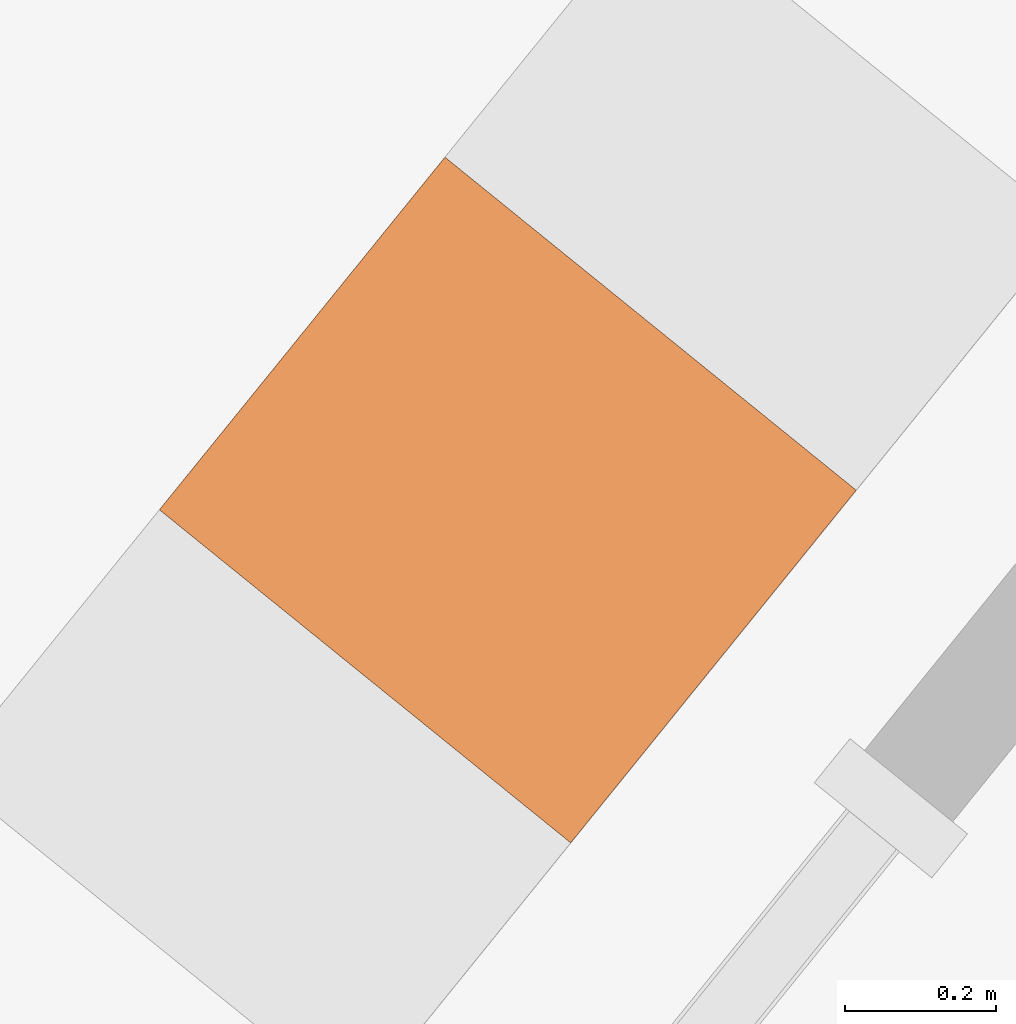
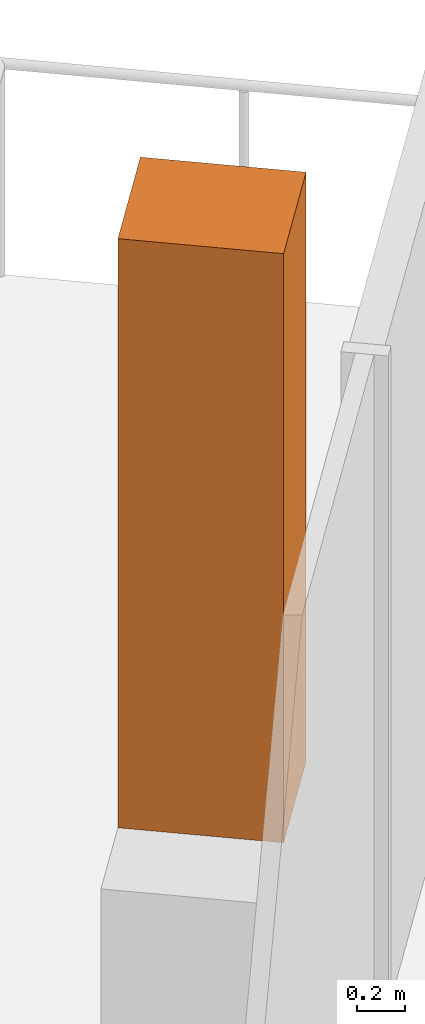
# One storey, part 23 of 23: 1 geographic element.
"""IFC4 building model written with IfcOpenShell, lengths in metres."""

from ifc_helpers import new_model, si_unit, direction, frame, origin, origin_2d, place, context, subcontext, project, spatial, rectangle, extrude, source, transform, mapped, material, type_object, element, save


model = new_model("IFC4")

# Units and contexts
model_context = context("Model", 3, precision=1e-05, world=origin(), true_north=direction((0.0, 1.0)))
body_context = subcontext(model_context, "Body", "Model", "MODEL_VIEW")
ifc_project = project(units=[si_unit("LENGTHUNIT", "METRE"), si_unit("AREAUNIT", "SQUARE_METRE"), si_unit("VOLUMEUNIT", "CUBIC_METRE"), si_unit("PLANEANGLEUNIT", "RADIAN"), si_unit("MASSUNIT", "GRAM", prefix="KILO")], contexts=[model_context])

# Site, building, storey
site_placement = place(None, origin())
site = spatial("IfcSite", under=ifc_project, at=site_placement, CompositionType="ELEMENT")
building_placement = place(site_placement, origin())
building = spatial("IfcBuilding", under=site, at=building_placement, Name="Triune Harvest Tower", CompositionType="ELEMENT")
storey_placement = place(building_placement, frame((0.0, 0.0, 167.699951171875)))
storey = spatial("IfcBuildingStorey", under=building, at=storey_placement, Name="L43", CompositionType="ELEMENT", Elevation=167.699951171875)

# Geographic element
ifc_material = material(Name="TREE-1 tree")
geographic_element_type = type_object("IfcGeographicElementType", Name="TREE-1 tree", PredefinedType="USERDEFINED", material=ifc_material)
shared_shape = source(origin(), body_context, "Body", "SweptSolid", [
    extrude(rectangle(XDim=0.60009765625, YDim=0.699951171875, at=origin_2d()), origin(), (0.0, 0.0, 1.0), 3.0),
])
geographic_element_placement = place(storey_placement, frame((-11.809814453125, 20.375732421875, 1.10009765625), z_axis=(0.0, 0.0, 1.0), x_axis=(-0.629321459087, -0.777145096577, 0.0)))
element("IfcGeographicElement", 1, at=geographic_element_placement, inside=storey, type_object=geographic_element_type, Name="Tree B4-F3 L43.4b", ObjectType="TREE", PredefinedType="USERDEFINED", context=body_context, shape_type="MappedRepresentation", body=[
    mapped(shared_shape, transform((0.0, 0.0, 0.0), scale=1.0)),
])

save(model, "model.ifc")
